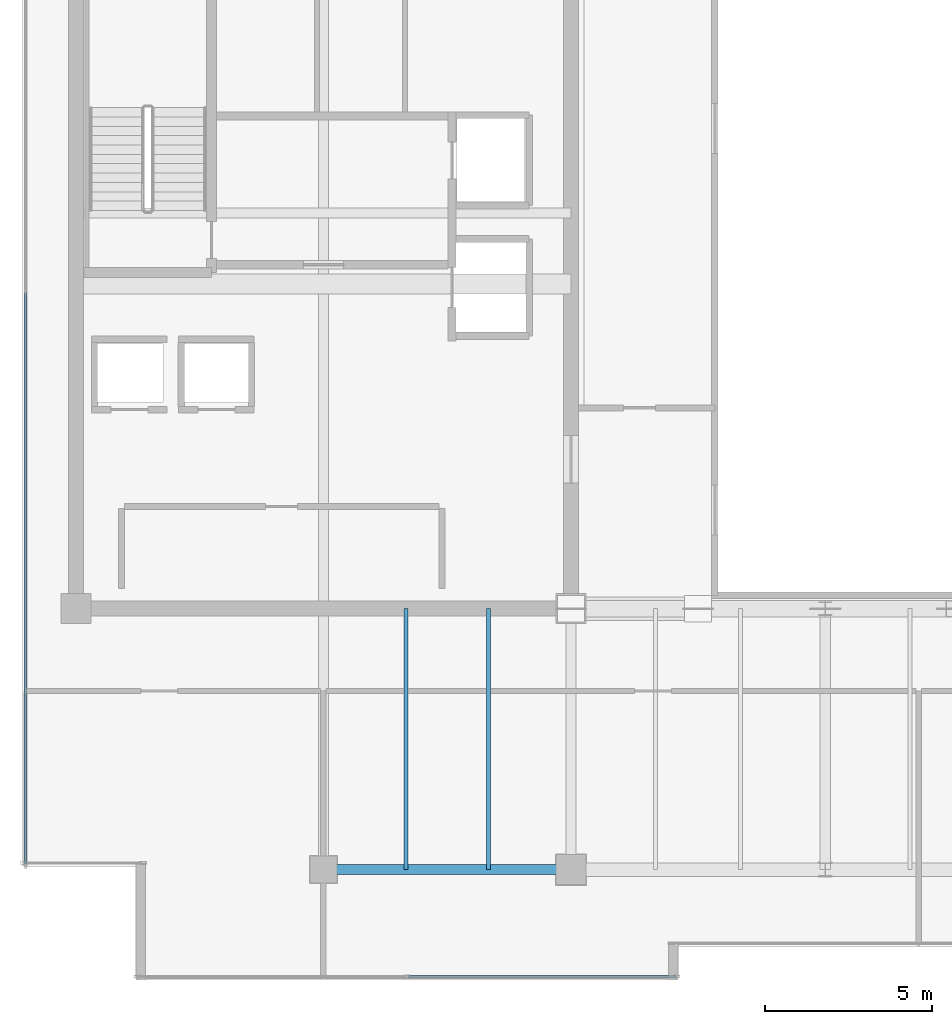
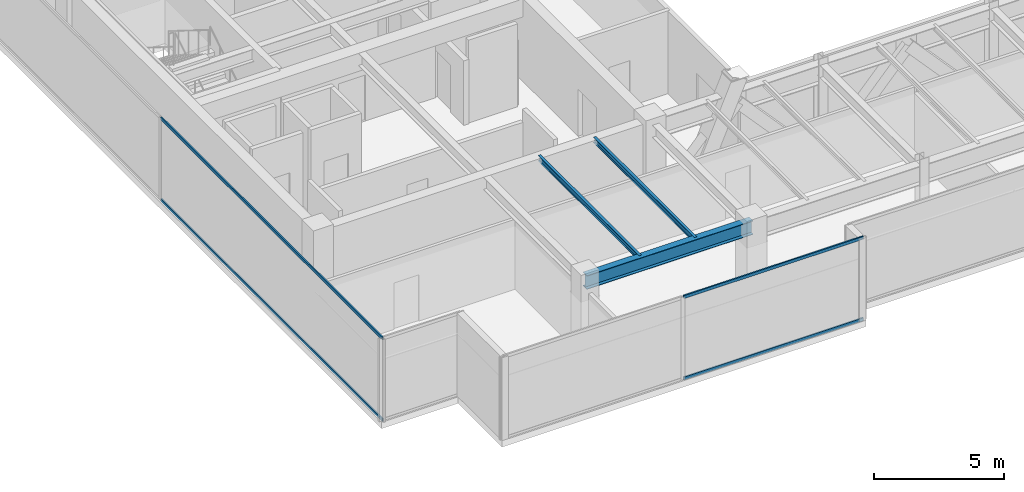
# One storey, part 5 of 32: 4 members, 3 beams, 2 elements without a shape of their own.
"""IFC4 building model written with IfcOpenShell, lengths in metres."""

from ifc_helpers import new_model, si_unit, direction, frame, origin, origin_2d, place, context, subcontext, project, spatial, hollow_rectangle, i_section, extrude, source, transform, mapped, material, layer, layer_set, material_profile, profile_set, type_object, type_shapes, element, aggregate, save


model = new_model("IFC4")

# Units and contexts
model_context = context("Model", 3, precision=1e-05, world=origin(), true_north=direction((0.0, 1.0)))
body_context = subcontext(model_context, "Body", "Model", "MODEL_VIEW")
ifc_project = project(units=[si_unit("LENGTHUNIT", "METRE"), si_unit("AREAUNIT", "SQUARE_METRE"), si_unit("VOLUMEUNIT", "CUBIC_METRE"), si_unit("PLANEANGLEUNIT", "RADIAN"), si_unit("MASSUNIT", "GRAM", prefix="KILO")], contexts=[model_context])

# Site, building, storey
site_placement = place(None, origin())
site = spatial("IfcSite", under=ifc_project, at=site_placement, CompositionType="ELEMENT")
building_placement = place(site_placement, origin())
building = spatial("IfcBuilding", under=site, at=building_placement, Name="Haelvirn Gate Laboratories", CompositionType="ELEMENT")
storey_placement = place(building_placement, frame((0.0, 0.0, 301.800048828125)))
storey = spatial("IfcBuildingStorey", under=building, at=storey_placement, Name="L72", CompositionType="ELEMENT", Elevation=301.800048828125)

# Beams
ifc_material_1 = material(Name="Steel SM355", Category="steel")
ifc_material_profile_1 = material_profile(ifc_material_1, i_section(OverallWidth=0.300048828125, OverallDepth=0.64990234375, WebThickness=0.012939453125, FlangeThickness=0.02197265625, at=origin_2d()), Name="H-650x300x13x22")
ifc_profile_set_1 = profile_set([ifc_material_profile_1], Name="Steel SM355")
beam_type_1 = type_object("IfcBeamType", Name="BM-G-650", PredefinedType="BEAM", material=ifc_profile_set_1)
shared_shape_1 = source(origin(), body_context, "Body", "SweptSolid", [
    extrude(i_section(OverallWidth=0.300048828125, OverallDepth=0.64990234375, WebThickness=0.012939453125, FlangeThickness=0.02197265625, at=origin_2d()), origin(), (0.0, 0.0, 1.0), 7.39990234375),
])
type_shapes(beam_type_1, [shared_shape_1])
beam_placement = place(storey_placement, frame((14.800048828125, 7.0, 3.574951171875), z_axis=(1.0, 0.0, 0.0), x_axis=(0.0, 1.0, 0.0)))
element("IfcBeam", 1, at=beam_placement, inside=storey, type_object=beam_type_1, Name="L72 Primary Girder Y7.0 (14.8-22.2)", PredefinedType="BEAM", context=body_context, shape_type="MappedRepresentation", body=[
    mapped(shared_shape_1, transform((0.0, 0.0, 0.0), scale=1.0)),
])
ifc_material_profile_2 = material_profile(ifc_material_1, i_section(OverallWidth=0.125, OverallDepth=0.25, WebThickness=0.006103515625, FlangeThickness=0.009033203125, at=origin_2d()), Name="H-250x125x6x9")
ifc_profile_set_2 = profile_set([ifc_material_profile_2], Name="Steel SM355")
beam_type_2 = type_object("IfcBeamType", Name="BM-J-250", PredefinedType="JOIST", material=ifc_profile_set_2)
shared_shape_2 = source(origin(), body_context, "Body", "SweptSolid", [
    extrude(i_section(OverallWidth=0.125, OverallDepth=0.25, WebThickness=0.006103515625, FlangeThickness=0.009033203125, at=origin_2d()), origin(), (0.0, 0.0, 1.0), 7.800048828125),
])
type_shapes(beam_type_2, [shared_shape_2])
for number, where, z_axis, x_axis, name in (
    (2, (17.27001953125, 7.0, 3.77490234375), (0.0, 1.0, 0.0), (-1.0, 0.0, 0.0), "L72 Composite Lab Joist South X17.27"),
    (3, (19.72998046875, 7.0, 3.77490234375), (0.0, 1.0, 0.0), (-1.0, 0.0, 0.0), "L72 Composite Lab Joist South X19.73"),
):
    element("IfcBeam", number, at=place(storey_placement, frame(where, z_axis=z_axis, x_axis=x_axis)), inside=storey, type_object=beam_type_2, Name=name, PredefinedType="JOIST", context=body_context, shape_type="MappedRepresentation", body=[
        mapped(shared_shape_2, transform((0.0, 0.0, 0.0), scale=1.0)),
    ])

# Curtain wall, members
ifc_material_2 = material(Name="Anodised bronze unitised aluminium & triple low-E glass", Category="aluminium")
ifc_layer = layer(ifc_material_2, 0.176025390625, Name="CW-SYS-4")
ifc_layer_set = layer_set([ifc_layer], Name="Anodised bronze unitised aluminium & triple low-E glass")
curtain_wall_type = type_object("IfcCurtainWallType", Name="CW-SYS-4", PredefinedType="NOTDEFINED", material=ifc_layer_set)
curtain_wall_1_placement = place(storey_placement, origin())
curtain_wall_1 = element("IfcCurtainWall", 4, at=curtain_wall_1_placement, inside=storey, type_object=curtain_wall_type, Name="L72 Unitised Curtain Wall CW-L72-P0-E17", PredefinedType="NOTDEFINED")
ifc_material_3 = material(Name="Extruded aluminium 6063-T6 (anodised bronze)", Category="aluminium")
ifc_material_profile_3 = material_profile(ifc_material_3, hollow_rectangle(XDim=0.06494140625, YDim=0.139892578125, WallThickness=0.00390625, at=origin_2d()), Name="CWT-140x65x4")
ifc_profile_set_3 = profile_set([ifc_material_profile_3], Name="Extruded aluminium 6063-T6 (anodised bronze)")
member_type = type_object("IfcMemberType", Name="CWT-T140", PredefinedType="USERDEFINED", material=ifc_profile_set_3)
shared_shape_3 = source(origin(), body_context, "Body", "SweptSolid", [
    extrude(hollow_rectangle(XDim=0.06494140625, YDim=0.139892578125, WallThickness=0.00390625, at=origin_2d()), origin(), (0.0, 0.0, 1.0), 17.094970703125),
])
member_1_placement = place(storey_placement, frame((5.89990234375, 24.264892578125, 0.032470703125), z_axis=(0.0, -1.0, 0.0), x_axis=(1.0, 0.0, 0.0)))
member_1 = element("IfcMember", 5, at=member_1_placement, type_object=member_type, Name="CW4 transom 2.1", ObjectType="TRANSOM", PredefinedType="USERDEFINED", context=body_context, shape_type="MappedRepresentation", body=[
    mapped(shared_shape_3, transform((0.0, 0.0, 0.0), scale=1.0)),
])
member_2_placement = place(storey_placement, frame((5.89990234375, 24.264892578125, 3.867431640625), z_axis=(0.0, -1.0, 0.0), x_axis=(1.0, 0.0, 0.0)))
member_2 = element("IfcMember", 6, at=member_2_placement, type_object=member_type, Name="CW4 transom 2.2", ObjectType="TRANSOM", PredefinedType="USERDEFINED", context=body_context, shape_type="MappedRepresentation", body=[
    mapped(shared_shape_3, transform((0.0, 0.0, 0.0), scale=1.0)),
])
aggregate(curtain_wall_1, [member_1, member_2])

curtain_wall_2_placement = place(storey_placement, origin())
curtain_wall_2 = element("IfcCurtainWall", 7, at=curtain_wall_2_placement, inside=storey, type_object=curtain_wall_type, Name="L72 Unitised Curtain Wall CW-L72-P0-E00-1", PredefinedType="NOTDEFINED")
shared_shape_4 = source(origin(), body_context, "Body", "SweptSolid", [
    extrude(hollow_rectangle(XDim=0.06494140625, YDim=0.139892578125, WallThickness=0.00390625, at=origin_2d()), origin(), (0.0, 0.0, 1.0), 7.9951171875),
])
type_shapes(member_type, [shared_shape_3, shared_shape_4])
member_3_placement = place(storey_placement, frame((17.3349609375, 3.800048828125, 0.032470703125), z_axis=(1.0, 0.0, 0.0), x_axis=(0.0, 1.0, 0.0)))
member_3 = element("IfcMember", 8, at=member_3_placement, type_object=member_type, Name="CW4 transom 2.1", ObjectType="TRANSOM", PredefinedType="USERDEFINED", context=body_context, shape_type="MappedRepresentation", body=[
    mapped(shared_shape_4, transform((0.0, 0.0, 0.0), scale=1.0)),
])
member_4_placement = place(storey_placement, frame((17.3349609375, 3.800048828125, 3.867431640625), z_axis=(1.0, 0.0, 0.0), x_axis=(0.0, 1.0, 0.0)))
member_4 = element("IfcMember", 9, at=member_4_placement, type_object=member_type, Name="CW4 transom 2.2", ObjectType="TRANSOM", PredefinedType="USERDEFINED", context=body_context, shape_type="MappedRepresentation", body=[
    mapped(shared_shape_4, transform((0.0, 0.0, 0.0), scale=1.0)),
])
aggregate(curtain_wall_2, [member_3, member_4])

save(model, "model.ifc")
